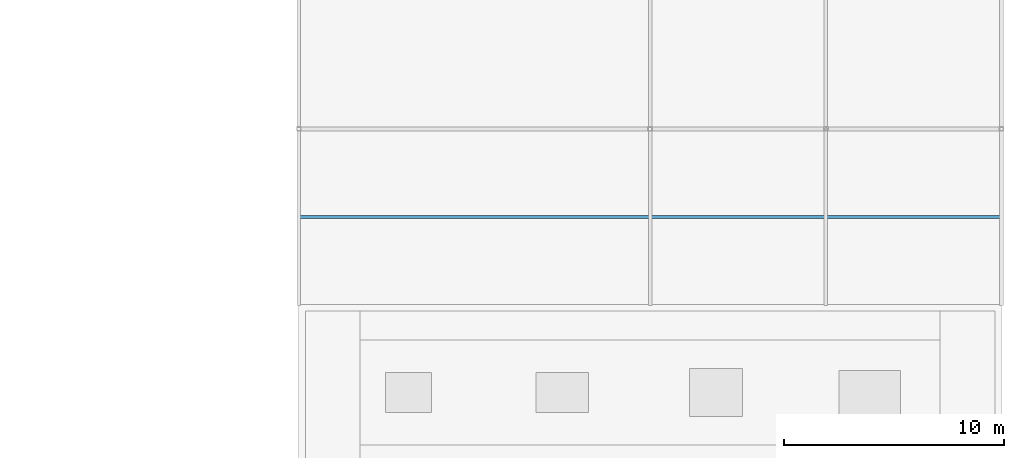
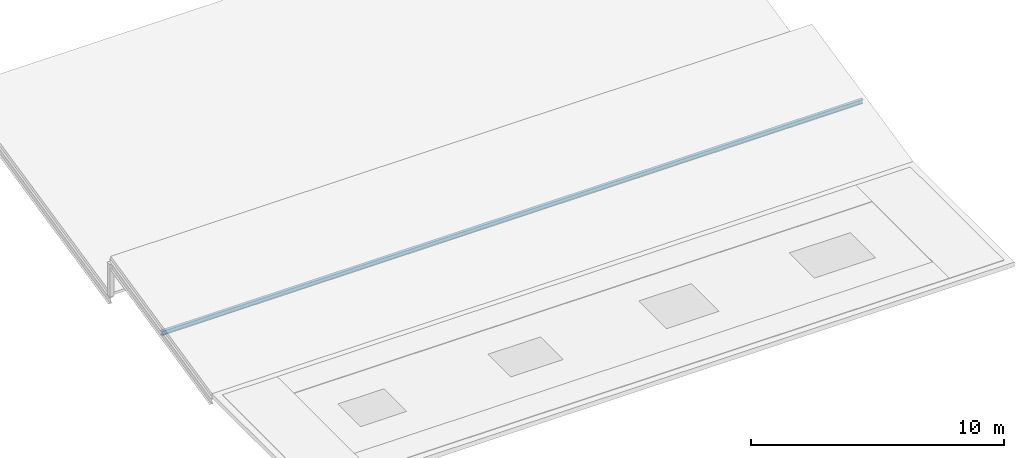
# One storey, part 11 of 31: 1 member.
"""IFC4 building model written with IfcOpenShell, lengths in metres."""

from ifc_helpers import new_model, si_unit, direction, frame, origin, origin_2d, place, context, subcontext, project, spatial, i_section, extrude, material, material_profile, profile_set, type_object, element, save


model = new_model("IFC4")

# Units and contexts
model_context = context("Model", 3, precision=1e-05, world=origin(), true_north=direction((0.0, 1.0)))
body_context = subcontext(model_context, "Body", "Model", "MODEL_VIEW")
ifc_project = project(units=[si_unit("LENGTHUNIT", "METRE"), si_unit("AREAUNIT", "SQUARE_METRE"), si_unit("VOLUMEUNIT", "CUBIC_METRE"), si_unit("PLANEANGLEUNIT", "RADIAN"), si_unit("MASSUNIT", "GRAM", prefix="KILO")], contexts=[model_context])

# Site, building, storey
site_placement = place(None, origin())
site = spatial("IfcSite", under=ifc_project, at=site_placement, CompositionType="ELEMENT")
building_placement = place(site_placement, origin())
building = spatial("IfcBuilding", under=site, at=building_placement, Name="Celadon Cloister-Ring School", CompositionType="ELEMENT")
storey_placement = place(building_placement, frame((0.0, 0.0, 16.5)))
storey = spatial("IfcBuildingStorey", under=building, at=storey_placement, Name="L04", CompositionType="ELEMENT", Elevation=16.5)

# Member
ifc_material = material(Name="Structural steel S355JR", Category="steel")
ifc_material_profile = material_profile(ifc_material, i_section(OverallWidth=0.133056640625, OverallDepth=0.20703125, WebThickness=0.005859375, FlangeThickness=0.00830078125, at=origin_2d()), Name="W200X27")
ifc_profile_set = profile_set([ifc_material_profile], Name="Structural steel S355JR")
member_type = type_object("IfcMemberType", Name="MP-04", PredefinedType="PURLIN", material=ifc_profile_set)
member_placement = place(storey_placement, frame((142.0, 44.0, 0.510009765625), z_axis=(1.0, 0.0, 0.0), x_axis=(0.0, 1.0, 0.0)))
element("IfcMember", 1, at=member_placement, inside=storey, type_object=member_type, Name="Structural Member 0597", PredefinedType="PURLIN", context=body_context, shape_type="SweptSolid", body=[
    extrude(i_section(OverallWidth=0.133056640625, OverallDepth=0.20703125, WebThickness=0.005859375, FlangeThickness=0.00830078125, at=origin_2d()), origin(), (0.0, 0.0, 1.0), 32.0),
])

save(model, "model.ifc")
